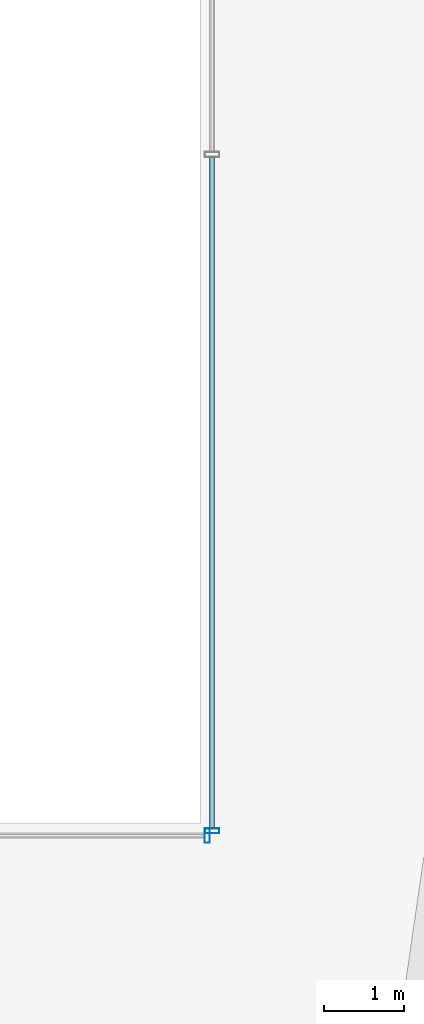
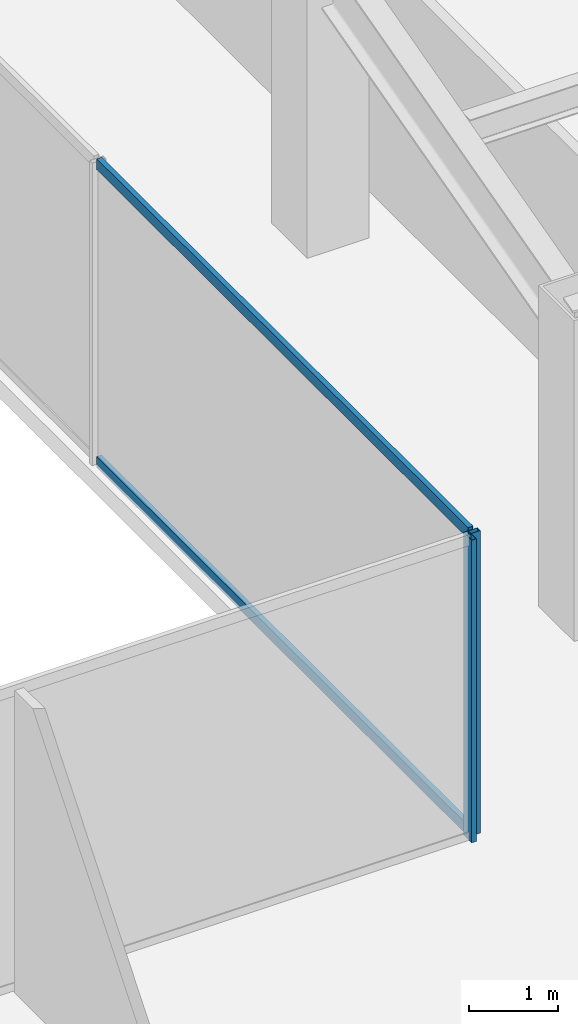
# One storey, part 18 of 47: 4 members, 2 elements without a shape of their own.
"""IFC4 building model written with IfcOpenShell, lengths in metres."""

from ifc_helpers import new_model, si_unit, direction, frame, origin, origin_2d, place, context, subcontext, project, spatial, hollow_rectangle, extrude, material, material_profile, profile_set, type_object, element, aggregate, save


model = new_model("IFC4")

# Units and contexts
model_context = context("Model", 3, precision=1e-05, world=origin(), true_north=direction((0.0, 1.0)))
body_context = subcontext(model_context, "Body", "Model", "MODEL_VIEW")
ifc_project = project(units=[si_unit("LENGTHUNIT", "METRE"), si_unit("AREAUNIT", "SQUARE_METRE"), si_unit("VOLUMEUNIT", "CUBIC_METRE"), si_unit("PLANEANGLEUNIT", "RADIAN"), si_unit("MASSUNIT", "GRAM", prefix="KILO")], contexts=[model_context])

# Site, building, storey
site_placement = place(None, origin())
site = spatial("IfcSite", under=ifc_project, at=site_placement, CompositionType="ELEMENT")
building_placement = place(site_placement, origin())
building = spatial("IfcBuilding", under=site, at=building_placement, Name="Saevonmaru Cultural Tower", CompositionType="ELEMENT")
storey_placement = place(building_placement, frame((0.0, 0.0, 92.800048828125)))
storey = spatial("IfcBuildingStorey", under=building, at=storey_placement, Name="L19", CompositionType="ELEMENT", Elevation=92.800048828125)

# Curtain wall, member
ifc_material = material(Name="Satin Bronze Anodised Aluminium", Category="aluminium")
curtain_wall_type = type_object("IfcCurtainWallType", Name="CW-ATR-GLZ", PredefinedType="NOTDEFINED", material=ifc_material)
curtain_wall_1_placement = place(storey_placement, origin())
curtain_wall_1 = element("IfcCurtainWall", 1, at=curtain_wall_1_placement, inside=storey, type_object=curtain_wall_type, Name="L19 Vertical Atrium Glazed Smoke Screen 1", PredefinedType="NOTDEFINED")
ifc_material_profile_1 = material_profile(ifc_material, hollow_rectangle(XDim=0.06494140625, YDim=0.179931640625, WallThickness=0.00390625, at=origin_2d()), Name="ALU-MULL-180x65x4")
ifc_profile_set_1 = profile_set([ifc_material_profile_1], Name="Satin Bronze Anodised Aluminium")
member_type_1 = type_object("IfcMemberType", Name="ML-CW-INT-180x65", PredefinedType="MULLION", material=ifc_profile_set_1)
member_1_placement = place(storey_placement, frame((35.889892578125, 20.85009765625, 0.0), z_axis=(0.0, 0.0, 1.0), x_axis=(1.0, 0.0, 0.0)))
member_1 = element("IfcMember", 2, at=member_1_placement, type_object=member_type_1, Name="CW-ATR-L19-1 mullion 2", PredefinedType="MULLION", context=body_context, shape_type="SweptSolid", body=[
    extrude(hollow_rectangle(XDim=0.06494140625, YDim=0.179931640625, WallThickness=0.00390625, at=origin_2d()), origin(), (0.0, 0.0, 1.0), 4.14990234375),
])
aggregate(curtain_wall_1, [member_1])

# Curtain wall, members
curtain_wall_2_placement = place(storey_placement, origin())
curtain_wall_2 = element("IfcCurtainWall", 3, at=curtain_wall_2_placement, inside=storey, type_object=curtain_wall_type, Name="L19 Vertical Atrium Glazed Smoke Screen 2", PredefinedType="NOTDEFINED")
member_2_placement = place(storey_placement, frame((35.949951171875, 20.909912109375, 0.0), z_axis=(0.0, 0.0, 1.0), x_axis=(0.0, 1.0, 0.0)))
member_2 = element("IfcMember", 4, at=member_2_placement, type_object=member_type_1, Name="CW-ATR-L19-2 mullion 1", PredefinedType="MULLION", context=body_context, shape_type="SweptSolid", body=[
    extrude(hollow_rectangle(XDim=0.06494140625, YDim=0.179931640625, WallThickness=0.00390625, at=origin_2d()), origin(), (0.0, 0.0, 1.0), 4.14990234375),
])
ifc_material_profile_2 = material_profile(ifc_material, hollow_rectangle(XDim=0.06494140625, YDim=0.14990234375, WallThickness=0.00390625, at=origin_2d()), Name="ALU-TRAN-150x65x4")
ifc_profile_set_2 = profile_set([ifc_material_profile_2], Name="Satin Bronze Anodised Aluminium")
member_type_2 = type_object("IfcMemberType", Name="TR-CW-INT-150x65", PredefinedType="USERDEFINED", material=ifc_profile_set_2)
member_3_placement = place(storey_placement, frame((35.949951171875, 20.9423828125, 0.032470703125), z_axis=(0.0, 1.0, 0.0), x_axis=(-1.0, 0.0, 0.0)))
member_3 = element("IfcMember", 5, at=member_3_placement, type_object=member_type_2, Name="CW-ATR-L19-2 transom 1.1", ObjectType="TRANSOM", PredefinedType="USERDEFINED", context=body_context, shape_type="SweptSolid", body=[
    extrude(hollow_rectangle(XDim=0.06494140625, YDim=0.14990234375, WallThickness=0.00390625, at=origin_2d()), origin(), (0.0, 0.0, 1.0), 8.34521484375),
])
member_4_placement = place(storey_placement, frame((35.949951171875, 20.9423828125, 4.117431640625), z_axis=(0.0, 1.0, 0.0), x_axis=(-1.0, 0.0, 0.0)))
member_4 = element("IfcMember", 6, at=member_4_placement, type_object=member_type_2, Name="CW-ATR-L19-2 transom 1.2", ObjectType="TRANSOM", PredefinedType="USERDEFINED", context=body_context, shape_type="SweptSolid", body=[
    extrude(hollow_rectangle(XDim=0.06494140625, YDim=0.14990234375, WallThickness=0.00390625, at=origin_2d()), origin(), (0.0, 0.0, 1.0), 8.34521484375),
])
aggregate(curtain_wall_2, [member_2, member_3, member_4])

save(model, "model.ifc")
